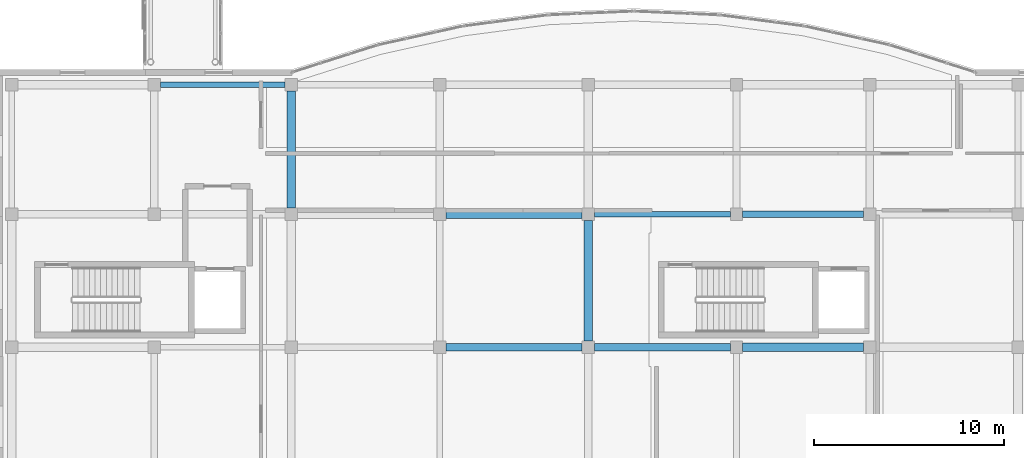
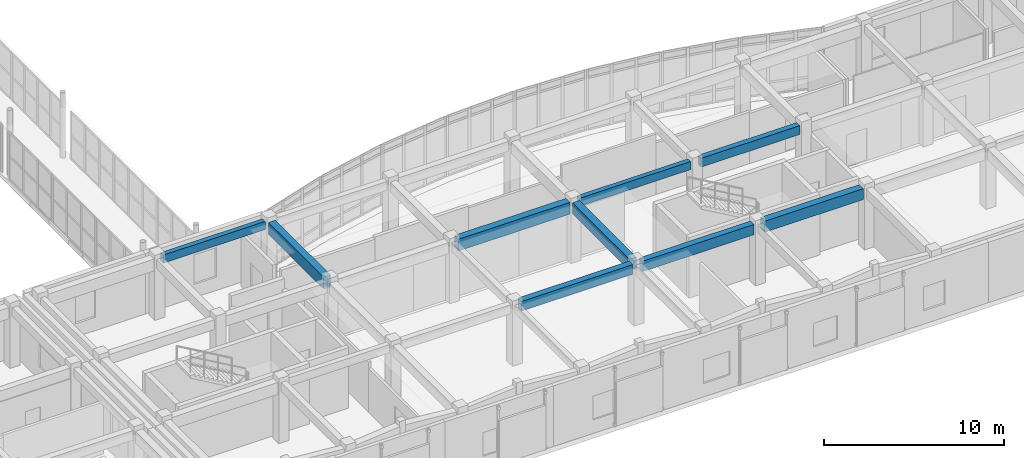
# One storey, part 42 of 142: 9 beams.
"""IFC4 building model written with IfcOpenShell, lengths in metres."""

from ifc_helpers import new_model, si_unit, direction, frame, origin, origin_2d, place, context, subcontext, project, spatial, rectangle, extrude, material, material_profile, profile_set, type_object, element, save


model = new_model("IFC4")

# Units and contexts
model_context = context("Model", 3, precision=1e-05, world=origin(), true_north=direction((0.0, 1.0)))
body_context = subcontext(model_context, "Body", "Model", "MODEL_VIEW")
ifc_project = project(units=[si_unit("LENGTHUNIT", "METRE"), si_unit("AREAUNIT", "SQUARE_METRE"), si_unit("VOLUMEUNIT", "CUBIC_METRE"), si_unit("PLANEANGLEUNIT", "RADIAN"), si_unit("MASSUNIT", "GRAM", prefix="KILO")], contexts=[model_context])

# Site, building, storey
site_placement = place(None, origin())
site = spatial("IfcSite", under=ifc_project, at=site_placement, CompositionType="ELEMENT")
building_placement = place(site_placement, origin())
building = spatial("IfcBuilding", under=site, at=building_placement, Name="Valcora Specialist Clinic", CompositionType="ELEMENT")
storey_placement = place(building_placement, frame((0.0, 0.0, 5.10009765625)))
storey = spatial("IfcBuildingStorey", under=building, at=storey_placement, Name="L01", CompositionType="ELEMENT", Elevation=5.10009765625)

# Beams
ifc_material = material(Name="Concrete C40/50", Category="concrete")
ifc_material_profile_1 = material_profile(ifc_material, rectangle(XDim=0.300048828125, YDim=0.550048828125, at=origin_2d()), Name="RC-BM-300X550")
ifc_profile_set_1 = profile_set([ifc_material_profile_1], Name="Concrete C40/50")
beam_type_1 = type_object("IfcBeamType", Name="TY-BM-RC300X550", PredefinedType="BEAM", material=ifc_profile_set_1)
beam_1_placement = place(storey_placement, frame((84.925048828125, 15.199951171875, 3.829833984375), z_axis=(1.0, 0.0, 0.0), x_axis=(0.0, 1.0, 0.0)))
element("IfcBeam", 1, at=beam_1_placement, inside=storey, type_object=beam_type_1, Name="Beam BM-L01-1315", PredefinedType="BEAM", context=body_context, shape_type="SweptSolid", body=[
    extrude(rectangle(XDim=0.300048828125, YDim=0.550048828125, at=origin_2d()), origin(), (0.0, 0.0, 1.0), 7.14990234375),
])
beam_2_placement = place(storey_placement, frame((62.125, 22.0, 3.829833984375), z_axis=(1.0, 0.0, 0.0), x_axis=(0.0, 1.0, 0.0)))
element("IfcBeam", 2, at=beam_2_placement, inside=storey, type_object=beam_type_1, Name="Beam BM-L01-1321", PredefinedType="BEAM", context=body_context, shape_type="SweptSolid", body=[
    extrude(rectangle(XDim=0.300048828125, YDim=0.550048828125, at=origin_2d()), origin(), (0.0, 0.0, 1.0), 6.550048828125),
])
ifc_material_profile_2 = material_profile(ifc_material, rectangle(XDim=0.35009765625, YDim=0.60009765625, at=origin_2d()), Name="RC-BM-350X600")
ifc_profile_set_2 = profile_set([ifc_material_profile_2], Name="Concrete C40/50")
beam_type_2 = type_object("IfcBeamType", Name="TY-BM-RC350X600", PredefinedType="BEAM", material=ifc_profile_set_2)
beam_3_placement = place(storey_placement, frame((92.72509765625, 15.199951171875, 3.804931640625), z_axis=(1.0, 0.0, 0.0), x_axis=(0.0, 1.0, 0.0)))
element("IfcBeam", 3, at=beam_3_placement, inside=storey, type_object=beam_type_2, Name="Beam BM-L01-1316", PredefinedType="BEAM", context=body_context, shape_type="SweptSolid", body=[
    extrude(rectangle(XDim=0.35009765625, YDim=0.60009765625, at=origin_2d()), origin(), (0.0, 0.0, 1.0), 6.349853515625),
])
ifc_material_profile_3 = material_profile(ifc_material, rectangle(XDim=0.39990234375, YDim=0.64990234375, at=origin_2d()), Name="RC-BM-400X650")
ifc_profile_set_3 = profile_set([ifc_material_profile_3], Name="Concrete C40/50")
beam_type_3 = type_object("IfcBeamType", Name="TY-BM-RC400X650", PredefinedType="BEAM", material=ifc_profile_set_3)
beam_4_placement = place(storey_placement, frame((77.125, 8.199951171875, 3.77978515625), z_axis=(1.0, 0.0, 0.0), x_axis=(0.0, 1.0, 0.0)))
element("IfcBeam", 4, at=beam_4_placement, inside=storey, type_object=beam_type_3, Name="Beam BM-L01-1305", PredefinedType="BEAM", context=body_context, shape_type="SweptSolid", body=[
    extrude(rectangle(XDim=0.39990234375, YDim=0.64990234375, at=origin_2d()), origin(), (0.0, 0.0, 1.0), 7.14990234375),
])
ifc_material_profile_4 = material_profile(ifc_material, rectangle(XDim=0.39990234375, YDim=0.699951171875, at=origin_2d()), Name="RC-BM-400X700")
ifc_profile_set_4 = profile_set([ifc_material_profile_4], Name="Concrete C40/50")
beam_type_4 = type_object("IfcBeamType", Name="TY-BM-RC400X700", PredefinedType="BEAM", material=ifc_profile_set_4)
beam_5_placement = place(storey_placement, frame((84.925048828125, 8.199951171875, 3.7548828125), z_axis=(1.0, 0.0, 0.0), x_axis=(0.0, 1.0, 0.0)))
element("IfcBeam", 5, at=beam_5_placement, inside=storey, type_object=beam_type_4, Name="Beam BM-L01-1306", PredefinedType="BEAM", context=body_context, shape_type="SweptSolid", body=[
    extrude(rectangle(XDim=0.39990234375, YDim=0.699951171875, at=origin_2d()), origin(), (0.0, 0.0, 1.0), 7.14990234375),
])
ifc_material_profile_5 = material_profile(ifc_material, rectangle(XDim=0.449951171875, YDim=0.75, at=origin_2d()), Name="RC-BM-450X750")
ifc_profile_set_5 = profile_set([ifc_material_profile_5], Name="Concrete C40/50")
beam_type_5 = type_object("IfcBeamType", Name="TY-BM-RC450X750", PredefinedType="BEAM", material=ifc_profile_set_5)
beam_6_placement = place(storey_placement, frame((92.72509765625, 8.199951171875, 3.72998046875), z_axis=(1.0, 0.0, 0.0), x_axis=(0.0, 1.0, 0.0)))
element("IfcBeam", 6, at=beam_6_placement, inside=storey, type_object=beam_type_5, Name="Beam BM-L01-1307", PredefinedType="BEAM", context=body_context, shape_type="SweptSolid", body=[
    extrude(rectangle(XDim=0.449951171875, YDim=0.75, at=origin_2d()), origin(), (0.0, 0.0, 1.0), 6.349853515625),
])
beam_7_placement = place(storey_placement, frame((84.60009765625, 8.52490234375, 3.72998046875), z_axis=(0.0, 1.0, 0.0), x_axis=(-1.0, 0.0, 0.0)))
element("IfcBeam", 7, at=beam_7_placement, inside=storey, type_object=beam_type_5, Name="Beam BM-L01-1341", PredefinedType="BEAM", context=body_context, shape_type="SweptSolid", body=[
    extrude(rectangle(XDim=0.449951171875, YDim=0.75, at=origin_2d()), origin(), (0.0, 0.0, 1.0), 6.35009765625),
])
ifc_material_profile_6 = material_profile(ifc_material, rectangle(XDim=0.449951171875, YDim=0.800048828125, at=origin_2d()), Name="RC-BM-450X800")
ifc_profile_set_6 = profile_set([ifc_material_profile_6], Name="Concrete C40/50")
beam_type_6 = type_object("IfcBeamType", Name="TY-BM-RC450X800", PredefinedType="BEAM", material=ifc_profile_set_6)
beam_8_placement = place(storey_placement, frame((77.125, 15.199951171875, 3.704833984375), z_axis=(1.0, 0.0, 0.0), x_axis=(0.0, 1.0, 0.0)))
element("IfcBeam", 8, at=beam_8_placement, inside=storey, type_object=beam_type_6, Name="Beam BM-L01-1314", PredefinedType="BEAM", context=body_context, shape_type="SweptSolid", body=[
    extrude(rectangle(XDim=0.449951171875, YDim=0.800048828125, at=origin_2d()), origin(), (0.0, 0.0, 1.0), 7.14990234375),
])
beam_9_placement = place(storey_placement, frame((69.0, 15.52490234375, 3.704833984375), z_axis=(0.0, 1.0, 0.0), x_axis=(-1.0, 0.0, 0.0)))
element("IfcBeam", 9, at=beam_9_placement, inside=storey, type_object=beam_type_6, Name="Beam BM-L01-1336", PredefinedType="BEAM", context=body_context, shape_type="SweptSolid", body=[
    extrude(rectangle(XDim=0.449951171875, YDim=0.800048828125, at=origin_2d()), origin(), (0.0, 0.0, 1.0), 6.150146484375),
])

save(model, "model.ifc")
